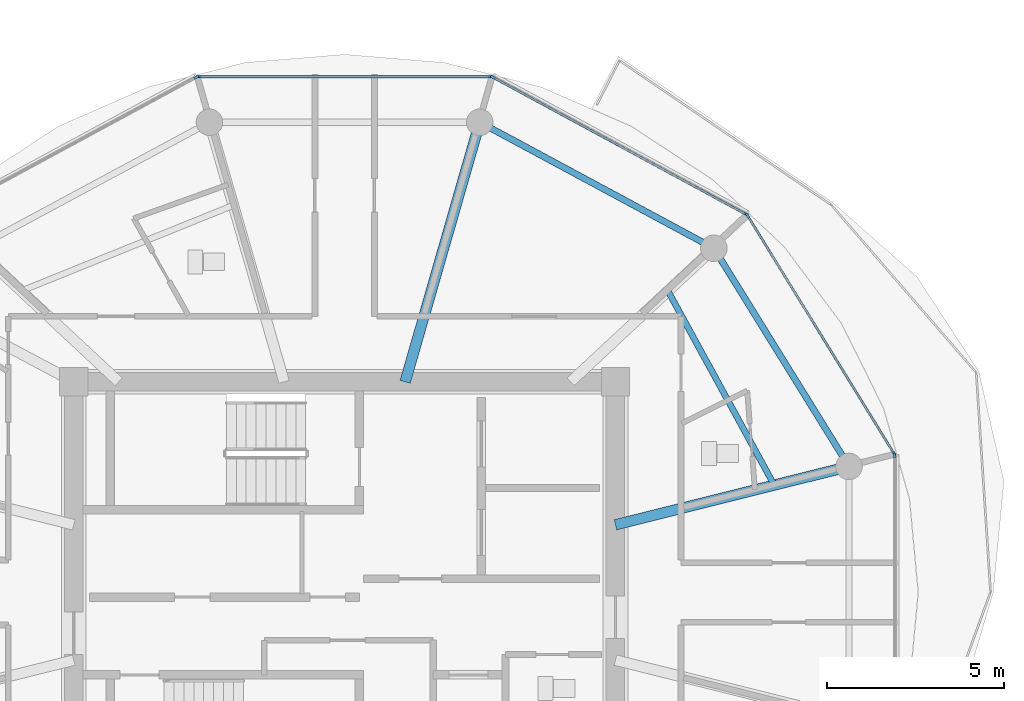
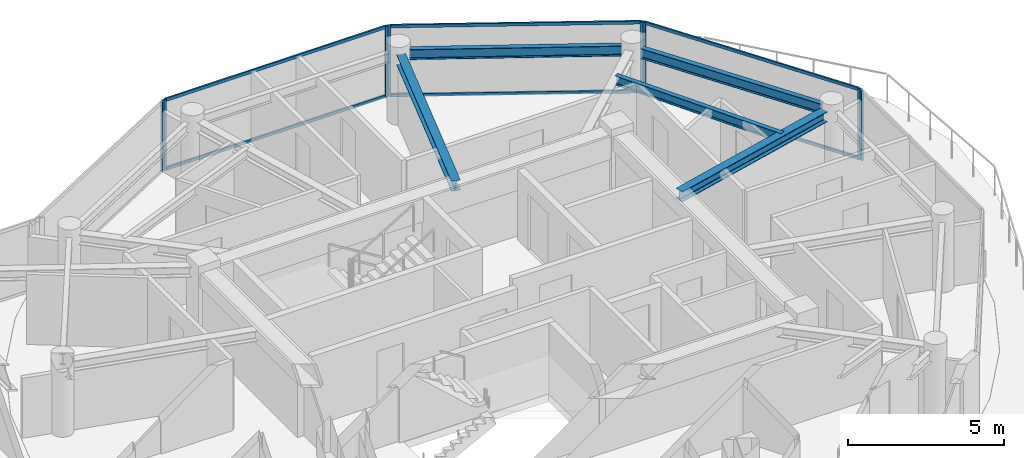
# One storey, part 11 of 26: 14 members, 5 beams, 5 elements without a shape of their own.
"""IFC4 building model written with IfcOpenShell, lengths in metres."""

import ifcopenshell
import ifcopenshell.guid

model = None  # the IFC model being written
_history = None  # IfcOwnerHistory: only IFC2X3 demands one
_inside = {}  # id of a spatial element -> (the spatial element, [elements in it])
_under = {}  # id of a project, library or spatial element -> (it, [spatial elements below it])
_declared = {}  # id of a project -> (the project, [libraries it declares])
_typed = {}  # id of a type object -> (the type object, [elements of that type])
_made_of = {}  # id of a material, layer set ... -> (it, [elements and type objects made of it])


def new_model(schema):
    """Start an empty IFC model of exactly this schema.

    Asked for "IFC4X3", IfcOpenShell would pick the latest addendum, in which some entities
    have other attributes; the version numbers below select the first issue.
    IFC2X3 requires an IfcOwnerHistory on every rooted entity: one is made here for all.
    """
    global model, _history
    if schema == "IFC4X3":
        model = ifcopenshell.file(schema_version=(4, 3, 0, 0))
    else:
        model = ifcopenshell.file(schema=schema)
    _inside.clear()
    _under.clear()
    _declared.clear()
    _typed.clear()
    _made_of.clear()
    _history = None
    if model.schema == "IFC2X3":
        org = make("IfcOrganization", Name="unknown")
        user = make(
            "IfcPersonAndOrganization",
            ThePerson=make("IfcPerson", FamilyName="unknown"),
            TheOrganization=org,
        )
        app = make(
            "IfcApplication",
            ApplicationDeveloper=org,
            Version="unknown",
            ApplicationFullName="unknown",
            ApplicationIdentifier="unknown",
        )
        _history = make(
            "IfcOwnerHistory",
            OwningUser=user,
            OwningApplication=app,
            ChangeAction="ADDED",
            CreationDate=0,
        )
    return model


def make(cls, **values):
    """One entity of the class cls with the attributes given. An attribute that is None is left unset."""
    return model.create_entity(
        cls, **{name: value for name, value in values.items() if value is not None}
    )


def rooted(cls, **values):
    """An entity with a GlobalId (a new one), such as an element, a storey or a relation."""
    return make(cls, GlobalId=ifcopenshell.guid.new(), OwnerHistory=_history, **values)


def si_unit(unit_type, name, prefix=None):
    """IfcSIUnit, for example si_unit("LENGTHUNIT", "METRE", prefix="MILLI")."""
    return make("IfcSIUnit", UnitType=unit_type, Prefix=prefix, Name=name)


def assignment(units):
    """IfcUnitAssignment: the units of a project."""
    return None if units is None else make("IfcUnitAssignment", Units=units)


def point(xyz):
    """IfcCartesianPoint."""
    return None if xyz is None else make("IfcCartesianPoint", Coordinates=xyz)


def direction(xyz):
    """IfcDirection."""
    return None if xyz is None else make("IfcDirection", DirectionRatios=xyz)


def frame(location, z_axis=None, x_axis=None):
    """IfcAxis2Placement3D, a coordinate frame: its origin and axes. An axis left out is left unset."""
    return make(
        "IfcAxis2Placement3D",
        Location=point(location),
        Axis=direction(z_axis),
        RefDirection=direction(x_axis),
    )


def frame_2d(location, x_axis=None):
    """IfcAxis2Placement2D, a coordinate frame in the plane: its origin and x axis."""
    return make(
        "IfcAxis2Placement2D", Location=point(location), RefDirection=direction(x_axis)
    )


def origin():
    """The frame at (0, 0, 0) with its axes left unset."""
    return frame((0.0, 0.0, 0.0))


def origin_2d():
    """The frame at (0, 0) in the plane with its x axis left unset."""
    return frame_2d((0.0, 0.0))


def place(relative_to, where):
    """IfcLocalPlacement: puts the frame where relative to a parent placement (None: the world)."""
    return make(
        "IfcLocalPlacement", PlacementRelTo=relative_to, RelativePlacement=where
    )


def context(
    kind, dimensions, precision=None, world=None, true_north=None, identifier=None
):
    """IfcGeometricRepresentationContext, for example the 3D "Model" context."""
    return make(
        "IfcGeometricRepresentationContext",
        ContextIdentifier=identifier,
        ContextType=kind,
        CoordinateSpaceDimension=dimensions,
        Precision=precision,
        WorldCoordinateSystem=world,
        TrueNorth=true_north,
    )


def subcontext(parent, identifier, kind, view, scale=None):
    """IfcGeometricRepresentationSubContext, for example "Body" below "Model"."""
    return make(
        "IfcGeometricRepresentationSubContext",
        ContextIdentifier=identifier,
        ContextType=kind,
        ParentContext=parent,
        TargetScale=scale,
        TargetView=view,
    )


def project(units=None, contexts=None):
    """IfcProject with its units and contexts."""
    return rooted(
        "IfcProject",
        Name="project",
        RepresentationContexts=contexts,
        UnitsInContext=assignment(units),
    )


def spatial(cls, under=None, at=None, **own):
    """A site, building, storey or space (cls), placed at a placement, below another one or the project."""
    s = rooted(cls, ObjectPlacement=at, **own)
    if under is not None:
        _under.setdefault(under.id(), (under, []))[1].append(s)
    return s


def profile(cls, at=None, kind="AREA", **sizes):
    """A parametric profile (cls). Its sizes go by their IFC names, for example OverallWidth=200.0."""
    return make(cls, ProfileType=kind, Position=at, **sizes)


def rectangle(**sizes):
    """IfcRectangleProfileDef."""
    return profile("IfcRectangleProfileDef", **sizes)


def i_section(**sizes):
    """IfcIShapeProfileDef."""
    return profile("IfcIShapeProfileDef", **sizes)


def extrude(swept, where, along, depth):
    """IfcExtrudedAreaSolid: the profile swept, set in the frame where, extruded along a direction by depth."""
    return make(
        "IfcExtrudedAreaSolid",
        SweptArea=swept,
        Position=where,
        ExtrudedDirection=direction(along),
        Depth=depth,
    )


def shape(context_of_items, identifier, shape_type, items):
    """IfcShapeRepresentation: the items that make up one representation, for example the "Body"."""
    return make(
        "IfcShapeRepresentation",
        ContextOfItems=context_of_items,
        RepresentationIdentifier=identifier,
        RepresentationType=shape_type,
        Items=items,
    )


def source(mapping_origin, context_of_items, identifier, shape_type, items):
    """IfcRepresentationMap: a shape defined once, which mapped items show again and again."""
    return make(
        "IfcRepresentationMap",
        MappingOrigin=mapping_origin,
        MappedRepresentation=shape(context_of_items, identifier, shape_type, items),
    )


def transform(
    local_origin,
    x_axis=None,
    y_axis=None,
    z_axis=None,
    scale=None,
    scale2=None,
    scale3=None,
    uniform=True,
):
    """IfcCartesianTransformationOperator3D, or its non-uniform kind. x_axis, y_axis, z_axis: its Axis1, 2, 3."""
    if uniform:
        return make(
            "IfcCartesianTransformationOperator3D",
            Axis1=direction(x_axis),
            Axis2=direction(y_axis),
            LocalOrigin=point(local_origin),
            Scale=scale,
            Axis3=direction(z_axis),
        )
    return make(
        "IfcCartesianTransformationOperator3DnonUniform",
        Axis1=direction(x_axis),
        Axis2=direction(y_axis),
        LocalOrigin=point(local_origin),
        Scale=scale,
        Axis3=direction(z_axis),
        Scale2=scale2,
        Scale3=scale3,
    )


def mapped(mapping_source, mapping_target):
    """IfcMappedItem: shows the shape of a source again, moved by a transform."""
    return make(
        "IfcMappedItem", MappingSource=mapping_source, MappingTarget=mapping_target
    )


def material(Name=None, Category=None):
    """IfcMaterial."""
    return make("IfcMaterial", Name=Name, Category=Category)


def layer(
    of_material, thickness, ventilated=None, Name=None, Category=None, Priority=None
):
    """IfcMaterialLayer: one layer of a wall or slab, of a material (None: an air gap)."""
    return make(
        "IfcMaterialLayer",
        Material=of_material,
        LayerThickness=thickness,
        IsVentilated=ventilated,
        Name=Name,
        Category=Category,
        Priority=Priority,
    )


def layer_set(layers, Name=None):
    """IfcMaterialLayerSet."""
    return make("IfcMaterialLayerSet", MaterialLayers=layers, LayerSetName=Name)


def material_profile(
    of_material, cross_section, Name=None, Category=None, Priority=None
):
    """IfcMaterialProfile: a cross section and its material."""
    return make(
        "IfcMaterialProfile",
        Name=Name,
        Material=of_material,
        Profile=cross_section,
        Priority=Priority,
        Category=Category,
    )


def profile_set(profiles, Name=None, composite=None):
    """IfcMaterialProfileSet."""
    return make(
        "IfcMaterialProfileSet",
        Name=Name,
        MaterialProfiles=profiles,
        CompositeProfile=composite,
    )


def made_of(thing, what):
    """Note that an element or type object is made of a material, layer set ...; save() writes the relation."""
    if what is not None:
        _made_of.setdefault(what.id(), (what, []))[1].append(thing)
    return thing


def type_object(cls, material=None, **own):
    """A type object (cls), such as IfcWallType, which elements share."""
    return made_of(rooted(cls, **own), material)


def type_shapes(of_type, sources):
    """Give a type object the sources (RepresentationMaps) that its elements show as mapped items."""
    of_type.RepresentationMaps = sources


def element(
    cls,
    number,
    at=None,
    inside=None,
    cuts=None,
    type_object=None,
    material=None,
    context=None,
    identifier="Body",
    shape_type=None,
    held_by="IfcProductDefinitionShape",
    body=None,
    shapes=None,
    **own,
):
    """One element of the class cls, such as IfcWall. Its Tag is "e" and its number.

    at: its placement. inside: the storey or other place that contains it. cuts: it is an
    opening in that element (IfcRelVoidsElement). A single representation is given by context,
    identifier, shape_type and body (its items); several are given by shapes. held_by: the class
    of the entity that holds the representations. save() writes the other relations.
    """
    e = rooted(cls, Tag="e%d" % number, ObjectPlacement=at, **own)
    if body is not None:
        shapes = [shape(context, identifier, shape_type, body)]
    if shapes is not None:
        e.Representation = make(held_by, Representations=shapes)
    if inside is not None:
        _inside.setdefault(inside.id(), (inside, []))[1].append(e)
    if cuts is not None:
        rooted(
            "IfcRelVoidsElement", RelatingBuildingElement=cuts, RelatedOpeningElement=e
        )
    if type_object is not None:
        _typed.setdefault(type_object.id(), (type_object, []))[1].append(e)
    return made_of(e, material)


def aggregate(whole, parts):
    """IfcRelAggregates: a whole, such as a stair, and the parts it consists of."""
    return rooted("IfcRelAggregates", RelatingObject=whole, RelatedObjects=parts)


def save(model, path):
    """Write the relations noted so far, then the file.

    IfcRelAggregates (storeys below a building ...), IfcRelContainedInSpatialStructure (elements
    in a storey), IfcRelDefinesByType, IfcRelAssociatesMaterial and IfcRelDeclares: one each for
    every whole, place, type object, material and project.
    """
    for whole, parts in _under.values():
        aggregate(whole, parts)
    for where, things in _inside.values():
        rooted(
            "IfcRelContainedInSpatialStructure",
            RelatedElements=things,
            RelatingStructure=where,
        )
    for kind, things in _typed.values():
        rooted("IfcRelDefinesByType", RelatedObjects=things, RelatingType=kind)
    for what, things in _made_of.values():
        rooted("IfcRelAssociatesMaterial", RelatedObjects=things, RelatingMaterial=what)
    for by, libraries in _declared.values():
        rooted("IfcRelDeclares", RelatingContext=by, RelatedDefinitions=libraries)
    model.write(path)


model = new_model("IFC4")

# Units and contexts
model_context = context("Model", 3, precision=1e-05, world=origin(), true_north=direction((0.0, 1.0)))
body_context = subcontext(model_context, "Body", "Model", "MODEL_VIEW")
ifc_project = project(units=[si_unit("LENGTHUNIT", "METRE"), si_unit("AREAUNIT", "SQUARE_METRE"), si_unit("VOLUMEUNIT", "CUBIC_METRE"), si_unit("PLANEANGLEUNIT", "RADIAN"), si_unit("MASSUNIT", "GRAM", prefix="KILO")], contexts=[model_context])

# Site, building, storey
site_placement = place(None, origin())
site = spatial("IfcSite", under=ifc_project, at=site_placement, CompositionType="ELEMENT")
building_placement = place(site_placement, origin())
building = spatial("IfcBuilding", under=site, at=building_placement, Name="Norrkilde Senior Care Towers", CompositionType="ELEMENT")
storey_placement = place(building_placement, frame((0.0, 0.0, 210.85009765625)))
storey = spatial("IfcBuildingStorey", under=building, at=storey_placement, Name="L65", CompositionType="ELEMENT", Elevation=210.85009765625)

# Beams
ifc_material_1 = material(Name="Steel S355", Category="steel")
ifc_material_profile_1 = material_profile(ifc_material_1, i_section(OverallWidth=0.179931640625, OverallDepth=0.39990234375, WebThickness=0.008544921875, FlangeThickness=0.013427734375, FilletRadius=0.02099609375, at=origin_2d()), Name="IPE 400")
ifc_profile_set_1 = profile_set([ifc_material_profile_1], Name="Steel S355")
beam_type_1 = type_object("IfcBeamType", Name="Perimeter Ring Spandrel Z4 IPE400", PredefinedType="SPANDREL", material=ifc_profile_set_1)
shared_shape_1 = source(origin(), body_context, "Body", "SweptSolid", [
    extrude(i_section(OverallWidth=0.179931640625, OverallDepth=0.39990234375, WebThickness=0.008544921875, FlangeThickness=0.013427734375, FilletRadius=0.02099609375, at=origin_2d()), origin(), (0.0, 0.0, 1.0), 6.58056640625),
])
beam_1_placement = place(storey_placement, frame((42.071044921875, 3.843505859375, 2.559814453125), z_axis=(-0.526529583789, 0.850156807533, 0.0), x_axis=(-0.850156807533, -0.526529583789, 0.0)))
element("IfcBeam", 1, at=beam_1_placement, inside=storey, type_object=beam_type_1, Name="L65 Drum E Perimeter Spandrel 01", PredefinedType="SPANDREL", context=body_context, shape_type="MappedRepresentation", body=[
    mapped(shared_shape_1, transform((0.0, 0.0, 0.0), x_axis=(1.0, 0.0, 0.0), y_axis=(0.0, 1.0, 0.0), z_axis=(0.0, 0.0, 1.0), scale=1.0)),
])
ifc_material_profile_2 = material_profile(ifc_material_1, i_section(OverallWidth=0.300048828125, OverallDepth=0.39990234375, WebThickness=0.013427734375, FlangeThickness=0.02392578125, FilletRadius=0.027099609375, at=origin_2d()), Name="HEB 400")
ifc_profile_set_2 = profile_set([ifc_material_profile_2], Name="Steel S355")
beam_type_2 = type_object("IfcBeamType", Name="Radial Floor Beam Z4 HEB400", PredefinedType="BEAM", material=ifc_profile_set_2)
shared_shape_2 = source(origin(), body_context, "Body", "SweptSolid", [
    extrude(i_section(OverallWidth=0.300048828125, OverallDepth=0.39990234375, WebThickness=0.013427734375, FlangeThickness=0.02392578125, FilletRadius=0.027099609375, at=origin_2d()), origin(), (0.0, 0.0, 1.0), 6.465087890625),
])
beam_2_placement = place(storey_placement, frame((35.64990234375, 1.910888671875, 2.559814453125), z_axis=(0.970195788563, 0.242322371758, 0.0), x_axis=(-0.242322371758, 0.970195788563, 0.0)))
element("IfcBeam", 2, at=beam_2_placement, inside=storey, type_object=beam_type_2, Name="L65 Drum E Radial Floor Beam 01", PredefinedType="BEAM", context=body_context, shape_type="MappedRepresentation", body=[
    mapped(shared_shape_2, transform((0.0, 0.0, 0.0), x_axis=(1.0, 0.0, 0.0), y_axis=(0.0, 1.0, 0.0), z_axis=(0.0, 0.0, 1.0), scale=1.0)),
])
shared_shape_3 = source(origin(), body_context, "Body", "SweptSolid", [
    extrude(i_section(OverallWidth=0.179931640625, OverallDepth=0.39990234375, WebThickness=0.008544921875, FlangeThickness=0.013427734375, FilletRadius=0.02099609375, at=origin_2d()), origin(), (0.0, 0.0, 1.0), 6.839111328125),
])
type_shapes(beam_type_1, [shared_shape_1, shared_shape_3])
beam_3_placement = place(storey_placement, frame((38.134765625, 9.881591796875, 2.559814453125), z_axis=(-0.880563930732, 0.473927382511, 0.0), x_axis=(-0.473927382511, -0.880563930732, 0.0)))
element("IfcBeam", 3, at=beam_3_placement, inside=storey, type_object=beam_type_1, Name="L65 Drum E Perimeter Spandrel 02", PredefinedType="SPANDREL", context=body_context, shape_type="MappedRepresentation", body=[
    mapped(shared_shape_3, transform((0.0, 0.0, 0.0), x_axis=(1.0, 0.0, 0.0), y_axis=(0.0, 1.0, 0.0), z_axis=(0.0, 0.0, 1.0), scale=1.0)),
])
shared_shape_4 = source(origin(), body_context, "Body", "SweptSolid", [
    extrude(i_section(OverallWidth=0.300048828125, OverallDepth=0.39990234375, WebThickness=0.013427734375, FlangeThickness=0.02392578125, FilletRadius=0.027099609375, at=origin_2d()), origin(), (0.0, 0.0, 1.0), 7.29345703125),
])
type_shapes(beam_type_2, [shared_shape_2, shared_shape_4])
beam_4_placement = place(storey_placement, frame((29.710205078125, 5.949951171875, 2.559814453125), z_axis=(0.276263751906, 0.961081858836, 0.0), x_axis=(-0.961081858836, 0.276263751906, 0.0)))
element("IfcBeam", 4, at=beam_4_placement, inside=storey, type_object=beam_type_2, Name="L65 Drum E Radial Floor Beam 03", PredefinedType="BEAM", context=body_context, shape_type="MappedRepresentation", body=[
    mapped(shared_shape_4, transform((0.0, 0.0, 0.0), x_axis=(1.0, 0.0, 0.0), y_axis=(0.0, 1.0, 0.0), z_axis=(0.0, 0.0, 1.0), scale=1.0)),
])
ifc_material_profile_3 = material_profile(ifc_material_1, i_section(OverallWidth=0.169921875, OverallDepth=0.360107421875, WebThickness=0.008056640625, FlangeThickness=0.0126953125, FilletRadius=0.01806640625, at=origin_2d()), Name="IPE 360")
ifc_profile_set_3 = profile_set([ifc_material_profile_3], Name="Steel S355")
beam_type_3 = type_object("IfcBeamType", Name="Secondary Floor Joist IPE360", PredefinedType="JOIST", material=ifc_profile_set_3)
shared_shape_5 = source(origin(), body_context, "Body", "SweptSolid", [
    extrude(i_section(OverallWidth=0.169921875, OverallDepth=0.360107421875, WebThickness=0.008056640625, FlangeThickness=0.0126953125, FilletRadius=0.01806640625, at=origin_2d()), origin(), (0.0, 0.0, 1.0), 6.25146484375),
])
type_shapes(beam_type_3, [shared_shape_5])
beam_5_placement = place(storey_placement, frame((40.13623046875, 3.031494140625, 2.579833984375), z_axis=(-0.480115752653, 0.877205143655, 0.0), x_axis=(-0.877205143655, -0.480115752653, 0.0)))
element("IfcBeam", 5, at=beam_5_placement, inside=storey, type_object=beam_type_3, Name="L65 Drum E Secondary Floor Joist 1", PredefinedType="JOIST", context=body_context, shape_type="MappedRepresentation", body=[
    mapped(shared_shape_5, transform((0.0, 0.0, 0.0), x_axis=(1.0, 0.0, 0.0), y_axis=(0.0, 1.0, 0.0), z_axis=(0.0, 0.0, 1.0), scale=1.0)),
])

# Curtain wall, members
ifc_material_2 = material(Name="Triple Low-E Insulated Glazing", Category="glass")
ifc_layer = layer(ifc_material_2, 0.18505859375)
ifc_layer_set = layer_set([ifc_layer], Name="Triple Low-E Insulated Glazing")
curtain_wall_type = type_object("IfcCurtainWallType", Name="CW6 Zone 4 Crown Pavilion Curtain Wall", PredefinedType="NOTDEFINED", material=ifc_layer_set)
curtain_wall_1_placement = place(storey_placement, origin())
curtain_wall_1 = element("IfcCurtainWall", 6, at=curtain_wall_1_placement, inside=storey, type_object=curtain_wall_type, Name="L65 Drum E Curtain Wall 00", PredefinedType="NOTDEFINED")
ifc_material_3 = material(Name="Anodised Aluminium", Category="aluminium")
ifc_material_profile_4 = material_profile(ifc_material_3, rectangle(XDim=0.06005859375, YDim=0.1201171875, at=origin_2d()), Name="ALU TRAN 60x120")
ifc_profile_set_4 = profile_set([ifc_material_profile_4], Name="Anodised Aluminium")
member_type_1 = type_object("IfcMemberType", Name="Curtain Wall Transom Typical 60x120", PredefinedType="USERDEFINED", material=ifc_profile_set_4)
shared_shape_6 = source(origin(), body_context, "Body", "SweptSolid", [
    extrude(rectangle(XDim=0.06005859375, YDim=0.1201171875, at=origin_2d()), origin(), (0.0, 0.0, 1.0), 7.808837890625),
])
member_1_placement = place(storey_placement, frame((39.404296875, 10.60791015625, 0.02978515625), z_axis=(0.524250924101, -0.851563837055, 0.0), x_axis=(0.851563837055, 0.524250924101, 0.0)))
member_1 = element("IfcMember", 7, at=member_1_placement, type_object=member_type_1, Name="CW-6 transom 1.1", ObjectType="TRANSOM", PredefinedType="USERDEFINED", context=body_context, shape_type="MappedRepresentation", body=[
    mapped(shared_shape_6, transform((0.0, 0.0, 0.0), x_axis=(1.0, 0.0, 0.0), y_axis=(0.0, 1.0, 0.0), z_axis=(0.0, 0.0, 1.0), scale=1.0)),
])
member_2_placement = place(storey_placement, frame((39.404296875, 10.60791015625, 2.72998046875), z_axis=(0.524250924101, -0.851563837055, 0.0), x_axis=(0.851563837055, 0.524250924101, 0.0)))
member_2 = element("IfcMember", 8, at=member_2_placement, type_object=member_type_1, Name="CW-6 transom 1.2", ObjectType="TRANSOM", PredefinedType="USERDEFINED", context=body_context, shape_type="MappedRepresentation", body=[
    mapped(shared_shape_6, transform((0.0, 0.0, 0.0), x_axis=(1.0, 0.0, 0.0), y_axis=(0.0, 1.0, 0.0), z_axis=(0.0, 0.0, 1.0), scale=1.0)),
])

curtain_wall_2_placement = place(storey_placement, origin())
curtain_wall_2 = element("IfcCurtainWall", 9, at=curtain_wall_2_placement, inside=storey, type_object=curtain_wall_type, Name="L65 Drum E Curtain Wall 02", PredefinedType="NOTDEFINED")
shared_shape_7 = source(origin(), body_context, "Body", "SweptSolid", [
    extrude(rectangle(XDim=0.06005859375, YDim=0.1201171875, at=origin_2d()), origin(), (0.0, 0.0, 1.0), 8.19384765625),
])
member_3_placement = place(storey_placement, frame((23.903076171875, 14.566162109375, 0.02978515625), z_axis=(1.0, 0.0, 0.0), x_axis=(0.0, 1.0, 0.0)))
member_3 = element("IfcMember", 10, at=member_3_placement, type_object=member_type_1, Name="CW-6 transom 1.1", ObjectType="TRANSOM", PredefinedType="USERDEFINED", context=body_context, shape_type="MappedRepresentation", body=[
    mapped(shared_shape_7, transform((0.0, 0.0, 0.0), x_axis=(1.0, 0.0, 0.0), y_axis=(0.0, 1.0, 0.0), z_axis=(0.0, 0.0, 1.0), scale=1.0)),
])
member_4_placement = place(storey_placement, frame((23.903076171875, 14.566162109375, 2.72998046875), z_axis=(1.0, 0.0, 0.0), x_axis=(0.0, 1.0, 0.0)))
member_4 = element("IfcMember", 11, at=member_4_placement, type_object=member_type_1, Name="CW-6 transom 1.2", ObjectType="TRANSOM", PredefinedType="USERDEFINED", context=body_context, shape_type="MappedRepresentation", body=[
    mapped(shared_shape_7, transform((0.0, 0.0, 0.0), x_axis=(1.0, 0.0, 0.0), y_axis=(0.0, 1.0, 0.0), z_axis=(0.0, 0.0, 1.0), scale=1.0)),
])

curtain_wall_3_placement = place(storey_placement, origin())
curtain_wall_3 = element("IfcCurtainWall", 12, at=curtain_wall_3_placement, inside=storey, type_object=curtain_wall_type, Name="L65 Drum E Curtain Wall 01", PredefinedType="NOTDEFINED")
shared_shape_8 = source(origin(), body_context, "Body", "SweptSolid", [
    extrude(rectangle(XDim=0.06005859375, YDim=0.1201171875, at=origin_2d()), origin(), (0.0, 0.0, 1.0), 8.0673828125),
])
type_shapes(member_type_1, [shared_shape_6, shared_shape_7, shared_shape_8])
member_5_placement = place(storey_placement, frame((32.218994140625, 14.53515625, 0.02978515625), z_axis=(0.87937750072, -0.476125205411, 0.0), x_axis=(0.476125205411, 0.87937750072, 0.0)))
member_5 = element("IfcMember", 13, at=member_5_placement, type_object=member_type_1, Name="CW-6 transom 1.1", ObjectType="TRANSOM", PredefinedType="USERDEFINED", context=body_context, shape_type="MappedRepresentation", body=[
    mapped(shared_shape_8, transform((0.0, 0.0, 0.0), x_axis=(1.0, 0.0, 0.0), y_axis=(0.0, 1.0, 0.0), z_axis=(0.0, 0.0, 1.0), scale=1.0)),
])
member_6_placement = place(storey_placement, frame((32.218994140625, 14.53515625, 2.72998046875), z_axis=(0.87937750072, -0.476125205411, 0.0), x_axis=(0.476125205411, 0.87937750072, 0.0)))
member_6 = element("IfcMember", 14, at=member_6_placement, type_object=member_type_1, Name="CW-6 transom 1.2", ObjectType="TRANSOM", PredefinedType="USERDEFINED", context=body_context, shape_type="MappedRepresentation", body=[
    mapped(shared_shape_8, transform((0.0, 0.0, 0.0), x_axis=(1.0, 0.0, 0.0), y_axis=(0.0, 1.0, 0.0), z_axis=(0.0, 0.0, 1.0), scale=1.0)),
])

# Member
ifc_material_profile_5 = material_profile(ifc_material_3, rectangle(XDim=0.06494140625, YDim=0.14990234375, at=origin_2d()), Name="ALU MULL 65x150")
ifc_profile_set_5 = profile_set([ifc_material_profile_5], Name="Anodised Aluminium")
member_type_2 = type_object("IfcMemberType", Name="Curtain Wall Mullion Z3-Z4 65x150", PredefinedType="MULLION", material=ifc_profile_set_5)
shared_shape_9 = source(origin(), body_context, "Body", "SweptSolid", [
    extrude(rectangle(XDim=0.06494140625, YDim=0.14990234375, at=origin_2d()), origin(), (0.0, 0.0, 1.0), 2.760009765625),
])
type_shapes(member_type_2, [shared_shape_9])
member_7_placement = place(storey_placement, frame((39.38720703125, 10.635498046875, 0.0), z_axis=(0.0, 0.0, 1.0), x_axis=(0.851562727283, 0.524252726748, 0.0)))
member_7 = element("IfcMember", 15, at=member_7_placement, type_object=member_type_2, Name="CW-6 mullion 1", PredefinedType="MULLION", context=body_context, shape_type="MappedRepresentation", body=[
    mapped(shared_shape_9, transform((0.0, 0.0, 0.0), x_axis=(1.0, 0.0, 0.0), y_axis=(0.0, 1.0, 0.0), z_axis=(0.0, 0.0, 1.0), scale=1.0)),
])

member_8_placement = place(storey_placement, frame((43.51513671875, 3.9306640625, 0.0), z_axis=(0.0, 0.0, 1.0), x_axis=(0.851562727283, 0.524252726748, 0.0)))
member_8 = element("IfcMember", 16, at=member_8_placement, type_object=member_type_2, Name="CW-6 mullion 2", PredefinedType="MULLION", context=body_context, shape_type="MappedRepresentation", body=[
    mapped(shared_shape_9, transform((0.0, 0.0, 0.0), x_axis=(1.0, 0.0, 0.0), y_axis=(0.0, 1.0, 0.0), z_axis=(0.0, 0.0, 1.0), scale=1.0)),
])

aggregate(curtain_wall_1, [member_7, member_8, member_1, member_2])

member_9_placement = place(storey_placement, frame((32.1904296875, 14.55078125, 0.0), z_axis=(0.0, 0.0, 1.0), x_axis=(0.476132676136, 0.879373455772, 0.0)))
member_9 = element("IfcMember", 17, at=member_9_placement, type_object=member_type_2, Name="CW-6 mullion 1", PredefinedType="MULLION", context=body_context, shape_type="MappedRepresentation", body=[
    mapped(shared_shape_9, transform((0.0, 0.0, 0.0), x_axis=(1.0, 0.0, 0.0), y_axis=(0.0, 1.0, 0.0), z_axis=(0.0, 0.0, 1.0), scale=1.0)),
])

member_10_placement = place(storey_placement, frame((39.341796875, 10.6787109375, 0.0), z_axis=(0.0, 0.0, 1.0), x_axis=(0.476132676136, 0.879373455772, 0.0)))
member_10 = element("IfcMember", 18, at=member_10_placement, type_object=member_type_2, Name="CW-6 mullion 2", PredefinedType="MULLION", context=body_context, shape_type="MappedRepresentation", body=[
    mapped(shared_shape_9, transform((0.0, 0.0, 0.0), x_axis=(1.0, 0.0, 0.0), y_axis=(0.0, 1.0, 0.0), z_axis=(0.0, 0.0, 1.0), scale=1.0)),
])

aggregate(curtain_wall_3, [member_9, member_10, member_5, member_6])

member_11_placement = place(storey_placement, frame((23.87060546875, 14.566162109375, 0.0), z_axis=(0.0, 0.0, 1.0), x_axis=(0.0, 1.0, 0.0)))
member_11 = element("IfcMember", 19, at=member_11_placement, type_object=member_type_2, Name="CW-6 mullion 1", PredefinedType="MULLION", context=body_context, shape_type="MappedRepresentation", body=[
    mapped(shared_shape_9, transform((0.0, 0.0, 0.0), x_axis=(1.0, 0.0, 0.0), y_axis=(0.0, 1.0, 0.0), z_axis=(0.0, 0.0, 1.0), scale=1.0)),
])

member_12_placement = place(storey_placement, frame((32.12939453125, 14.566162109375, 0.0), z_axis=(0.0, 0.0, 1.0), x_axis=(0.0, 1.0, 0.0)))
member_12 = element("IfcMember", 20, at=member_12_placement, type_object=member_type_2, Name="CW-6 mullion 2", PredefinedType="MULLION", context=body_context, shape_type="MappedRepresentation", body=[
    mapped(shared_shape_9, transform((0.0, 0.0, 0.0), x_axis=(1.0, 0.0, 0.0), y_axis=(0.0, 1.0, 0.0), z_axis=(0.0, 0.0, 1.0), scale=1.0)),
])

aggregate(curtain_wall_2, [member_11, member_12, member_3, member_4])

# Curtain wall, member
curtain_wall_4_placement = place(storey_placement, origin())
curtain_wall_4 = element("IfcCurtainWall", 21, at=curtain_wall_4_placement, inside=storey, type_object=curtain_wall_type, Name="L65 Drum E Curtain Wall 03", PredefinedType="NOTDEFINED")
member_13_placement = place(storey_placement, frame((23.8095703125, 14.55078125, 0.0), z_axis=(0.0, 0.0, 1.0), x_axis=(-0.476132676136, 0.879373455772, 0.0)))
member_13 = element("IfcMember", 22, at=member_13_placement, type_object=member_type_2, Name="CW-6 mullion 2", PredefinedType="MULLION", context=body_context, shape_type="MappedRepresentation", body=[
    mapped(shared_shape_9, transform((0.0, 0.0, 0.0), x_axis=(1.0, 0.0, 0.0), y_axis=(0.0, 1.0, 0.0), z_axis=(0.0, 0.0, 1.0), scale=1.0)),
])
aggregate(curtain_wall_4, [member_13])

curtain_wall_5_placement = place(storey_placement, origin())
curtain_wall_5 = element("IfcCurtainWall", 23, at=curtain_wall_5_placement, inside=storey, type_object=curtain_wall_type, Name="L65 Drum E Curtain Wall 11", PredefinedType="NOTDEFINED")
member_14_placement = place(storey_placement, frame((43.531982421875, 3.87060546875, 0.0), z_axis=(0.0, 0.0, 1.0), x_axis=(1.0, 0.0, 0.0)))
member_14 = element("IfcMember", 24, at=member_14_placement, type_object=member_type_2, Name="CW-6 mullion 1", PredefinedType="MULLION", context=body_context, shape_type="MappedRepresentation", body=[
    mapped(shared_shape_9, transform((0.0, 0.0, 0.0), x_axis=(1.0, 0.0, 0.0), y_axis=(0.0, 1.0, 0.0), z_axis=(0.0, 0.0, 1.0), scale=1.0)),
])
aggregate(curtain_wall_5, [member_14])

save(model, "model.ifc")
